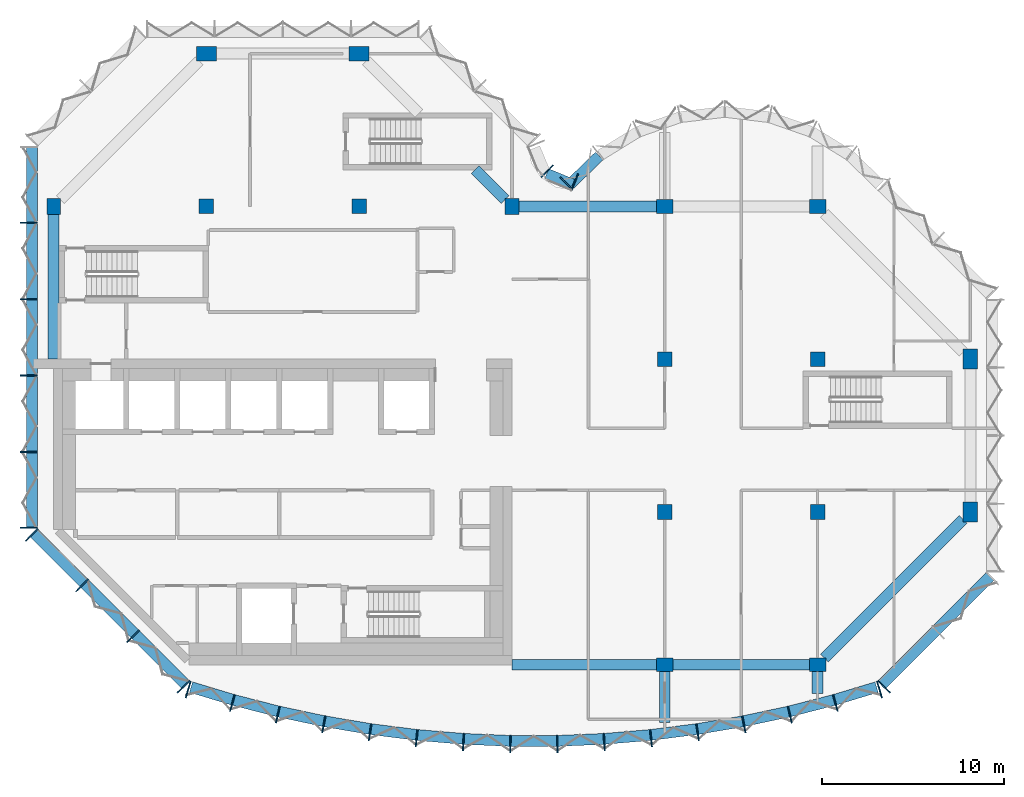
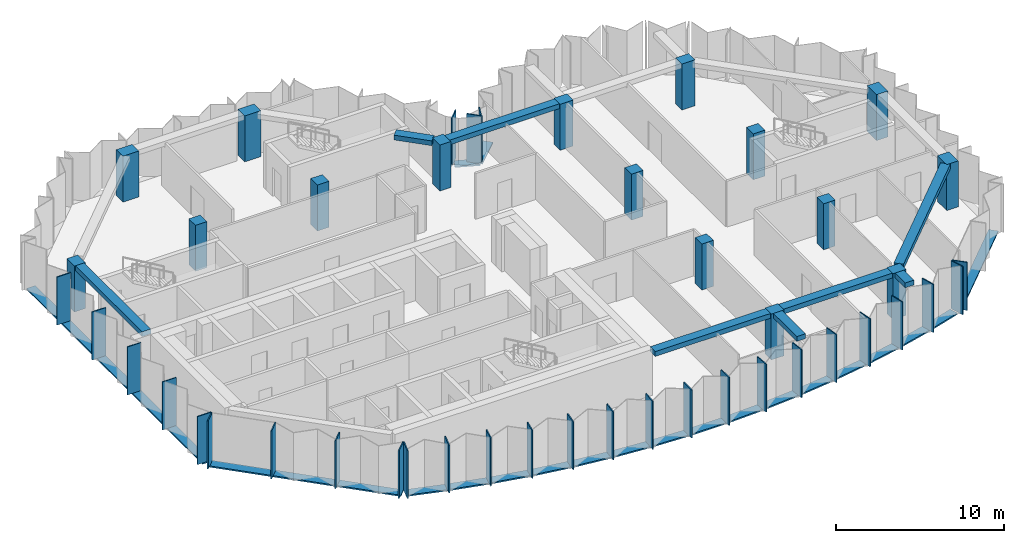
# One storey, part 1 of 9: 49 members, 16 columns, 8 beams, 6 elements without a shape of their own.
"""IFC4 building model written with IfcOpenShell, lengths in metres."""

from ifc_helpers import new_model, si_unit, direction, frame, origin, origin_2d, place, context, subcontext, project, spatial, rectangle, extrude, material, material_profile, profile_set, type_object, element, aggregate, save


model = new_model("IFC4")

# Units and contexts
model_context = context("Model", 3, precision=1e-05, world=origin(), true_north=direction((0.0, 1.0)))
body_context = subcontext(model_context, "Body", "Model", "MODEL_VIEW")
ifc_project = project(units=[si_unit("LENGTHUNIT", "METRE"), si_unit("AREAUNIT", "SQUARE_METRE"), si_unit("VOLUMEUNIT", "CUBIC_METRE"), si_unit("PLANEANGLEUNIT", "RADIAN"), si_unit("MASSUNIT", "GRAM", prefix="KILO")], contexts=[model_context])

# Site, building, storey
site_placement = place(None, origin())
site = spatial("IfcSite", under=ifc_project, at=site_placement, CompositionType="ELEMENT")
building_placement = place(site_placement, origin())
building = spatial("IfcBuilding", under=site, at=building_placement, Name="Brevane Broadcast Tower", CompositionType="ELEMENT")
storey_placement = place(building_placement, frame((0.0, 0.0, 215.699951171875)))
storey = spatial("IfcBuildingStorey", under=building, at=storey_placement, Name="L54", CompositionType="ELEMENT", Elevation=215.699951171875)

# Columns
ifc_material_1 = material(Name="Concrete C50/60", Category="concrete")
ifc_material_profile_1 = material_profile(ifc_material_1, rectangle(XDim=0.75, YDim=0.89990234375, at=origin_2d()), Name="RC 750x900")
ifc_profile_set_1 = profile_set([ifc_material_profile_1], Name="Concrete C50/60")
column_type_1 = type_object("IfcColumnType", Name="RC COLUMN EDGE 750x900 C50/60", PredefinedType="COLUMN", material=ifc_profile_set_1)
for number, where, z_axis, x_axis, name in (
    (1, (0.0, 25.199951171875, 0.0), (0.0, 0.0, 1.0), (1.0, 0.0, 0.0), "CE14 1/D"),
    (2, (25.199951171875, 25.199951171875, 0.0), (0.0, 0.0, 1.0), (1.0, 0.0, 0.0), "CE14 4/D"),
    (3, (33.60009765625, 0.0, 0.0), (0.0, 0.0, 1.0), (0.0, 1.0, 0.0), "CE14 5/A"),
    (4, (33.60009765625, 25.199951171875, 0.0), (0.0, 0.0, 1.0), (0.0, 1.0, 0.0), "CE14 5/D"),
    (5, (42.0, 0.0, 0.0), (0.0, 0.0, 1.0), (0.0, 1.0, 0.0), "CE14 6/A"),
    (6, (42.0, 25.199951171875, 0.0), (0.0, 0.0, 1.0), (0.0, 1.0, 0.0), "CE14 6/D"),
):
    element("IfcColumn", number, at=place(storey_placement, frame(where, z_axis=z_axis, x_axis=x_axis)), inside=storey, type_object=column_type_1, Name=name, PredefinedType="COLUMN", context=body_context, shape_type="SweptSolid", body=[
        extrude(rectangle(XDim=0.75, YDim=0.89990234375, at=origin_2d()), origin(), (0.0, 0.0, 1.0), 3.35009765625),
    ])
ifc_material_profile_2 = material_profile(ifc_material_1, rectangle(XDim=0.800048828125, YDim=0.800048828125, at=origin_2d()), Name="RC 800x800")
ifc_profile_set_2 = profile_set([ifc_material_profile_2], Name="Concrete C50/60")
column_type_2 = type_object("IfcColumnType", Name="RC COLUMN INTERIOR 800x800 C50/60", PredefinedType="COLUMN", material=ifc_profile_set_2)
for number, where, z_axis, x_axis, name in (
    (7, (8.39990234375, 25.199951171875, 0.0), (0.0, 0.0, 1.0), (1.0, 0.0, 0.0), "CI15 2/D"),
    (8, (16.800048828125, 25.199951171875, 0.0), (0.0, 0.0, 1.0), (1.0, 0.0, 0.0), "CI15 3/D"),
    (9, (33.60009765625, 8.39990234375, 0.0), (0.0, 0.0, 1.0), (1.0, 0.0, 0.0), "CI15 5/B"),
    (10, (33.60009765625, 16.800048828125, 0.0), (0.0, 0.0, 1.0), (1.0, 0.0, 0.0), "CI15 5/C"),
    (11, (42.0, 8.39990234375, 0.0), (0.0, 0.0, 1.0), (1.0, 0.0, 0.0), "CI15 6/B"),
    (12, (42.0, 16.800048828125, 0.0), (0.0, 0.0, 1.0), (1.0, 0.0, 0.0), "CI15 6/C"),
):
    element("IfcColumn", number, at=place(storey_placement, frame(where, z_axis=z_axis, x_axis=x_axis)), inside=storey, type_object=column_type_2, Name=name, PredefinedType="COLUMN", context=body_context, shape_type="SweptSolid", body=[
        extrude(rectangle(XDim=0.800048828125, YDim=0.800048828125, at=origin_2d()), origin(), (0.0, 0.0, 1.0), 3.35009765625),
    ])
ifc_material_profile_3 = material_profile(ifc_material_1, rectangle(XDim=0.800048828125, YDim=1.10009765625, at=origin_2d()), Name="RC 800x1100")
ifc_profile_set_3 = profile_set([ifc_material_profile_3], Name="Concrete C50/60")
column_type_3 = type_object("IfcColumnType", Name="RC COLUMN WING-END 800x1100 C50/60", PredefinedType="COLUMN", material=ifc_profile_set_3)
for number, where, z_axis, x_axis, name in (
    (13, (8.39990234375, 33.60009765625, 0.0), (0.0, 0.0, 1.0), (0.0, 1.0, 0.0), "CW16 2/E"),
    (14, (16.800048828125, 33.60009765625, 0.0), (0.0, 0.0, 1.0), (0.0, 1.0, 0.0), "CW16 3/E"),
    (15, (50.39990234375, 8.39990234375, 0.0), (0.0, 0.0, 1.0), (1.0, 0.0, 0.0), "CW16 7/B"),
    (16, (50.39990234375, 16.800048828125, 0.0), (0.0, 0.0, 1.0), (1.0, 0.0, 0.0), "CW16 7/C"),
):
    element("IfcColumn", number, at=place(storey_placement, frame(where, z_axis=z_axis, x_axis=x_axis)), inside=storey, type_object=column_type_3, Name=name, PredefinedType="COLUMN", context=body_context, shape_type="SweptSolid", body=[
        extrude(rectangle(XDim=0.800048828125, YDim=1.10009765625, at=origin_2d()), origin(), (0.0, 0.0, 1.0), 3.35009765625),
    ])

# Curtain wall, members
ifc_material_2 = material(Name="Aluminium 6063-T6 bronze anodised", Category="aluminium")
curtain_wall_type = type_object("IfcCurtainWallType", Name="CW-1 curtain wall", PredefinedType="NOTDEFINED", material=ifc_material_2)
curtain_wall_1_placement = place(storey_placement, origin())
curtain_wall_1 = element("IfcCurtainWall", 17, at=curtain_wall_1_placement, inside=storey, type_object=curtain_wall_type, Name="CW-1 typical tilted unit L54 south bow", PredefinedType="NOTDEFINED")
ifc_material_profile_4 = material_profile(ifc_material_2, rectangle(XDim=0.949951171875, YDim=0.070068359375, at=origin_2d()), Name="RECT 70x950")
ifc_profile_set_4 = profile_set([ifc_material_profile_4], Name="Aluminium 6063-T6 bronze anodised")
member_type_1 = type_object("IfcMemberType", Name="CW-1 mullion 70x950", PredefinedType="MULLION", material=ifc_profile_set_4)
member_1_placement = place(storey_placement, frame((7.396240234375, -1.36474609375, -0.14990234375), z_axis=(0.0, 0.0, 1.0), x_axis=(0.288968122518, 0.957338719664, 0.0)))
member_1 = element("IfcMember", 18, at=member_1_placement, type_object=member_type_1, Name="CW-1 mullion", PredefinedType="MULLION", context=body_context, shape_type="SweptSolid", body=[
    extrude(rectangle(XDim=0.949951171875, YDim=0.070068359375, at=origin_2d()), origin(), (0.0, 0.0, 1.0), 3.5),
])
member_2_placement = place(storey_placement, frame((9.824951171875, -2.097900390625, -0.14990234375), z_axis=(0.0, 0.0, 1.0), x_axis=(0.268915519935, 0.963163767559, 0.0)))
member_2 = element("IfcMember", 19, at=member_2_placement, type_object=member_type_1, Name="CW-1 mullion", PredefinedType="MULLION", context=body_context, shape_type="SweptSolid", body=[
    extrude(rectangle(XDim=0.949951171875, YDim=0.070068359375, at=origin_2d()), origin(), (0.0, 0.0, 1.0), 3.5),
])
member_3_placement = place(storey_placement, frame((12.325439453125, -2.739990234375, -0.14990234375), z_axis=(0.0, 0.0, 1.0), x_axis=(0.228467410001, 0.97355156133, 0.0)))
member_3 = element("IfcMember", 20, at=member_3_placement, type_object=member_type_1, Name="CW-1 mullion", PredefinedType="MULLION", context=body_context, shape_type="SweptSolid", body=[
    extrude(rectangle(XDim=0.949951171875, YDim=0.070068359375, at=origin_2d()), origin(), (0.0, 0.0, 1.0), 3.5),
])
member_4_placement = place(storey_placement, frame((14.8505859375, -3.277099609375, -0.14990234375), z_axis=(0.0, 0.0, 1.0), x_axis=(0.187620976959, 0.982241502384, 0.0)))
member_4 = element("IfcMember", 21, at=member_4_placement, type_object=member_type_1, Name="CW-1 mullion", PredefinedType="MULLION", context=body_context, shape_type="SweptSolid", body=[
    extrude(rectangle(XDim=0.949951171875, YDim=0.070068359375, at=origin_2d()), origin(), (0.0, 0.0, 1.0), 3.5),
])
member_5_placement = place(storey_placement, frame((17.395751953125, -3.70849609375, -0.14990234375), z_axis=(0.0, 0.0, 1.0), x_axis=(0.146447392256, 0.989218459847, 0.0)))
member_5 = element("IfcMember", 22, at=member_5_placement, type_object=member_type_1, Name="CW-1 mullion", PredefinedType="MULLION", context=body_context, shape_type="SweptSolid", body=[
    extrude(rectangle(XDim=0.949951171875, YDim=0.070068359375, at=origin_2d()), origin(), (0.0, 0.0, 1.0), 3.5),
])
member_6_placement = place(storey_placement, frame((19.95703125, -4.033203125, -0.14990234375), z_axis=(0.0, 0.0, 1.0), x_axis=(0.105018395305, 0.994470279419, 0.0)))
member_6 = element("IfcMember", 23, at=member_6_placement, type_object=member_type_1, Name="CW-1 mullion", PredefinedType="MULLION", context=body_context, shape_type="SweptSolid", body=[
    extrude(rectangle(XDim=0.949951171875, YDim=0.070068359375, at=origin_2d()), origin(), (0.0, 0.0, 1.0), 3.5),
])
member_7_placement = place(storey_placement, frame((22.529296875, -4.250732421875, -0.14990234375), z_axis=(0.0, 0.0, 1.0), x_axis=(0.063406169479, 0.99798780437, 0.0)))
member_7 = element("IfcMember", 24, at=member_7_placement, type_object=member_type_1, Name="CW-1 mullion", PredefinedType="MULLION", context=body_context, shape_type="SweptSolid", body=[
    extrude(rectangle(XDim=0.949951171875, YDim=0.070068359375, at=origin_2d()), origin(), (0.0, 0.0, 1.0), 3.5),
])
member_8_placement = place(storey_placement, frame((25.10888671875, -4.360595703125, -0.14990234375), z_axis=(0.0, 0.0, 1.0), x_axis=(0.021281828243, 0.999773516246, 0.0)))
member_8 = element("IfcMember", 25, at=member_8_placement, type_object=member_type_1, Name="CW-1 mullion", PredefinedType="MULLION", context=body_context, shape_type="SweptSolid", body=[
    extrude(rectangle(XDim=0.949951171875, YDim=0.070068359375, at=origin_2d()), origin(), (0.0, 0.0, 1.0), 3.5),
])
member_9_placement = place(storey_placement, frame((27.691162109375, -4.360595703125, -0.14990234375), z_axis=(0.0, 0.0, 1.0), x_axis=(-0.021281828243, 0.999773516246, 0.0)))
member_9 = element("IfcMember", 26, at=member_9_placement, type_object=member_type_1, Name="CW-1 mullion", PredefinedType="MULLION", context=body_context, shape_type="SweptSolid", body=[
    extrude(rectangle(XDim=0.949951171875, YDim=0.070068359375, at=origin_2d()), origin(), (0.0, 0.0, 1.0), 3.5),
])
member_10_placement = place(storey_placement, frame((30.2705078125, -4.250732421875, -0.14990234375), z_axis=(0.0, 0.0, 1.0), x_axis=(-0.063406169479, 0.99798780437, 0.0)))
member_10 = element("IfcMember", 27, at=member_10_placement, type_object=member_type_1, Name="CW-1 mullion", PredefinedType="MULLION", context=body_context, shape_type="SweptSolid", body=[
    extrude(rectangle(XDim=0.949951171875, YDim=0.070068359375, at=origin_2d()), origin(), (0.0, 0.0, 1.0), 3.5),
])
member_11_placement = place(storey_placement, frame((32.843017578125, -4.033203125, -0.14990234375), z_axis=(0.0, 0.0, 1.0), x_axis=(-0.105018395305, 0.994470279419, 0.0)))
member_11 = element("IfcMember", 28, at=member_11_placement, type_object=member_type_1, Name="CW-1 mullion", PredefinedType="MULLION", context=body_context, shape_type="SweptSolid", body=[
    extrude(rectangle(XDim=0.949951171875, YDim=0.070068359375, at=origin_2d()), origin(), (0.0, 0.0, 1.0), 3.5),
])
member_12_placement = place(storey_placement, frame((35.404296875, -3.70849609375, -0.14990234375), z_axis=(0.0, 0.0, 1.0), x_axis=(-0.146447392256, 0.989218459847, 0.0)))
member_12 = element("IfcMember", 29, at=member_12_placement, type_object=member_type_1, Name="CW-1 mullion", PredefinedType="MULLION", context=body_context, shape_type="SweptSolid", body=[
    extrude(rectangle(XDim=0.949951171875, YDim=0.070068359375, at=origin_2d()), origin(), (0.0, 0.0, 1.0), 3.5),
])
member_13_placement = place(storey_placement, frame((37.949462890625, -3.277099609375, -0.14990234375), z_axis=(0.0, 0.0, 1.0), x_axis=(-0.187620976959, 0.982241502384, 0.0)))
member_13 = element("IfcMember", 30, at=member_13_placement, type_object=member_type_1, Name="CW-1 mullion", PredefinedType="MULLION", context=body_context, shape_type="SweptSolid", body=[
    extrude(rectangle(XDim=0.949951171875, YDim=0.070068359375, at=origin_2d()), origin(), (0.0, 0.0, 1.0), 3.5),
])
member_14_placement = place(storey_placement, frame((40.474609375, -2.739990234375, -0.14990234375), z_axis=(0.0, 0.0, 1.0), x_axis=(-0.228467410001, 0.97355156133, 0.0)))
member_14 = element("IfcMember", 31, at=member_14_placement, type_object=member_type_1, Name="CW-1 mullion", PredefinedType="MULLION", context=body_context, shape_type="SweptSolid", body=[
    extrude(rectangle(XDim=0.949951171875, YDim=0.070068359375, at=origin_2d()), origin(), (0.0, 0.0, 1.0), 3.5),
])
member_15_placement = place(storey_placement, frame((42.97509765625, -2.097900390625, -0.14990234375), z_axis=(0.0, 0.0, 1.0), x_axis=(-0.268915519935, 0.963163767559, 0.0)))
member_15 = element("IfcMember", 32, at=member_15_placement, type_object=member_type_1, Name="CW-1 mullion", PredefinedType="MULLION", context=body_context, shape_type="SweptSolid", body=[
    extrude(rectangle(XDim=0.949951171875, YDim=0.070068359375, at=origin_2d()), origin(), (0.0, 0.0, 1.0), 3.5),
])
member_16_placement = place(storey_placement, frame((45.40380859375, -1.36474609375, -0.14990234375), z_axis=(0.0, 0.0, 1.0), x_axis=(-0.288968122518, 0.957338719664, 0.0)))
member_16 = element("IfcMember", 33, at=member_16_placement, type_object=member_type_1, Name="CW-1 mullion", PredefinedType="MULLION", context=body_context, shape_type="SweptSolid", body=[
    extrude(rectangle(XDim=0.949951171875, YDim=0.070068359375, at=origin_2d()), origin(), (0.0, 0.0, 1.0), 3.5),
])

# Curtain wall, member
curtain_wall_2_placement = place(storey_placement, origin())
curtain_wall_2 = element("IfcCurtainWall", 34, at=curtain_wall_2_placement, inside=storey, type_object=curtain_wall_type, Name="CW-1 typical tilted unit L54 south-east chamfer", PredefinedType="NOTDEFINED")
member_17_placement = place(storey_placement, frame((45.66064453125, -1.211181640625, -0.14990234375), z_axis=(0.0, 0.0, 1.0), x_axis=(-0.707106781187, 0.707106781187, 0.0)))
member_17 = element("IfcMember", 35, at=member_17_placement, type_object=member_type_1, Name="CW-1 mullion", PredefinedType="MULLION", context=body_context, shape_type="SweptSolid", body=[
    extrude(rectangle(XDim=0.949951171875, YDim=0.070068359375, at=origin_2d()), origin(), (0.0, 0.0, 1.0), 3.5),
])

curtain_wall_3_placement = place(storey_placement, origin())
curtain_wall_3 = element("IfcCurtainWall", 36, at=curtain_wall_3_placement, inside=storey, type_object=curtain_wall_type, Name="CW-1 typical tilted unit L54 east bow", PredefinedType="NOTDEFINED")
member_18_placement = place(storey_placement, frame((28.194091796875, 26.465087890625, -0.14990234375), z_axis=(0.0, 0.0, 1.0), x_axis=(0.696812089895, -0.717253728729, 0.0)))
member_18 = element("IfcMember", 37, at=member_18_placement, type_object=member_type_1, Name="CW-1 mullion", PredefinedType="MULLION", context=body_context, shape_type="SweptSolid", body=[
    extrude(rectangle(XDim=0.949951171875, YDim=0.070068359375, at=origin_2d()), origin(), (0.0, 0.0, 1.0), 3.5),
])

# Curtain wall, members
curtain_wall_4_placement = place(storey_placement, origin())
curtain_wall_4 = element("IfcCurtainWall", 38, at=curtain_wall_4_placement, inside=storey, type_object=curtain_wall_type, Name="CW-1 typical tilted unit L54 inner corner", PredefinedType="NOTDEFINED")
member_19_placement = place(storey_placement, frame((28.6494140625, 26.55224609375, -0.14990234375), z_axis=(0.0, 0.0, 1.0), x_axis=(-0.382683432365, -0.923879532511, 0.0)))
member_19 = element("IfcMember", 39, at=member_19_placement, type_object=member_type_1, Name="CW-1 mullion", PredefinedType="MULLION", context=body_context, shape_type="SweptSolid", body=[
    extrude(rectangle(XDim=0.949951171875, YDim=0.070068359375, at=origin_2d()), origin(), (0.0, 0.0, 1.0), 3.5),
])
member_20_placement = place(storey_placement, frame((27.138916015625, 27.138916015625, -0.14990234375), z_axis=(0.0, 0.0, 1.0), x_axis=(-0.707106781187, -0.707106781187, 0.0)))
member_20 = element("IfcMember", 40, at=member_20_placement, type_object=member_type_1, Name="CW-1 mullion", PredefinedType="MULLION", context=body_context, shape_type="SweptSolid", body=[
    extrude(rectangle(XDim=0.949951171875, YDim=0.070068359375, at=origin_2d()), origin(), (0.0, 0.0, 1.0), 3.5),
])

curtain_wall_5_placement = place(storey_placement, origin())
curtain_wall_5 = element("IfcCurtainWall", 41, at=curtain_wall_5_placement, inside=storey, type_object=curtain_wall_type, Name="CW-1 typical tilted unit L54 west face", PredefinedType="NOTDEFINED")
member_21_placement = place(storey_placement, frame((-1.375, 24.300048828125, -0.14990234375), z_axis=(0.0, 0.0, 1.0), x_axis=(1.0, 0.0, 0.0)))
member_21 = element("IfcMember", 42, at=member_21_placement, type_object=member_type_1, Name="CW-1 mullion", PredefinedType="MULLION", context=body_context, shape_type="SweptSolid", body=[
    extrude(rectangle(XDim=0.949951171875, YDim=0.070068359375, at=origin_2d()), origin(), (0.0, 0.0, 1.0), 3.5),
])
member_22_placement = place(storey_placement, frame((-1.375, 20.10009765625, -0.14990234375), z_axis=(0.0, 0.0, 1.0), x_axis=(1.0, 0.0, 0.0)))
member_22 = element("IfcMember", 43, at=member_22_placement, type_object=member_type_1, Name="CW-1 mullion", PredefinedType="MULLION", context=body_context, shape_type="SweptSolid", body=[
    extrude(rectangle(XDim=0.949951171875, YDim=0.070068359375, at=origin_2d()), origin(), (0.0, 0.0, 1.0), 3.5),
])
member_23_placement = place(storey_placement, frame((-1.375, 15.89990234375, -0.14990234375), z_axis=(0.0, 0.0, 1.0), x_axis=(1.0, 0.0, 0.0)))
member_23 = element("IfcMember", 44, at=member_23_placement, type_object=member_type_1, Name="CW-1 mullion", PredefinedType="MULLION", context=body_context, shape_type="SweptSolid", body=[
    extrude(rectangle(XDim=0.949951171875, YDim=0.070068359375, at=origin_2d()), origin(), (0.0, 0.0, 1.0), 3.5),
])
member_24_placement = place(storey_placement, frame((-1.375, 11.699951171875, -0.14990234375), z_axis=(0.0, 0.0, 1.0), x_axis=(1.0, 0.0, 0.0)))
member_24 = element("IfcMember", 45, at=member_24_placement, type_object=member_type_1, Name="CW-1 mullion", PredefinedType="MULLION", context=body_context, shape_type="SweptSolid", body=[
    extrude(rectangle(XDim=0.949951171875, YDim=0.070068359375, at=origin_2d()), origin(), (0.0, 0.0, 1.0), 3.5),
])
member_25_placement = place(storey_placement, frame((-1.375, 7.534912109375, -0.14990234375), z_axis=(0.0, 0.0, 1.0), x_axis=(1.0, 0.0, 0.0)))
member_25 = element("IfcMember", 46, at=member_25_placement, type_object=member_type_1, Name="CW-1 mullion", PredefinedType="MULLION", context=body_context, shape_type="SweptSolid", body=[
    extrude(rectangle(XDim=0.949951171875, YDim=0.070068359375, at=origin_2d()), origin(), (0.0, 0.0, 1.0), 3.5),
])

curtain_wall_6_placement = place(storey_placement, origin())
curtain_wall_6 = element("IfcCurtainWall", 47, at=curtain_wall_6_placement, inside=storey, type_object=curtain_wall_type, Name="CW-1 typical tilted unit L54 south-west chamfer", PredefinedType="NOTDEFINED")
member_26_placement = place(storey_placement, frame((-1.211181640625, 7.139404296875, -0.14990234375), z_axis=(0.0, 0.0, 1.0), x_axis=(0.707106781187, 0.707106781187, 0.0)))
member_26 = element("IfcMember", 48, at=member_26_placement, type_object=member_type_1, Name="CW-1 mullion", PredefinedType="MULLION", context=body_context, shape_type="SweptSolid", body=[
    extrude(rectangle(XDim=0.949951171875, YDim=0.070068359375, at=origin_2d()), origin(), (0.0, 0.0, 1.0), 3.5),
])
member_27_placement = place(storey_placement, frame((1.564208984375, 4.364013671875, -0.14990234375), z_axis=(0.0, 0.0, 1.0), x_axis=(0.707106781187, 0.707106781187, 0.0)))
member_27 = element("IfcMember", 49, at=member_27_placement, type_object=member_type_1, Name="CW-1 mullion", PredefinedType="MULLION", context=body_context, shape_type="SweptSolid", body=[
    extrude(rectangle(XDim=0.949951171875, YDim=0.070068359375, at=origin_2d()), origin(), (0.0, 0.0, 1.0), 3.5),
])
member_28_placement = place(storey_placement, frame((4.364013671875, 1.564208984375, -0.14990234375), z_axis=(0.0, 0.0, 1.0), x_axis=(0.707106781187, 0.707106781187, 0.0)))
member_28 = element("IfcMember", 50, at=member_28_placement, type_object=member_type_1, Name="CW-1 mullion", PredefinedType="MULLION", context=body_context, shape_type="SweptSolid", body=[
    extrude(rectangle(XDim=0.949951171875, YDim=0.070068359375, at=origin_2d()), origin(), (0.0, 0.0, 1.0), 3.5),
])
member_29_placement = place(storey_placement, frame((7.139404296875, -1.211181640625, -0.14990234375), z_axis=(0.0, 0.0, 1.0), x_axis=(0.707106781187, 0.707106781187, 0.0)))
member_29 = element("IfcMember", 51, at=member_29_placement, type_object=member_type_1, Name="CW-1 mullion", PredefinedType="MULLION", context=body_context, shape_type="SweptSolid", body=[
    extrude(rectangle(XDim=0.949951171875, YDim=0.070068359375, at=origin_2d()), origin(), (0.0, 0.0, 1.0), 3.5),
])

# Member
ifc_material_profile_5 = material_profile(ifc_material_2, rectangle(XDim=0.60009765625, YDim=0.10009765625, at=origin_2d()), Name="RECT 100x600")
ifc_profile_set_5 = profile_set([ifc_material_profile_5], Name="Aluminium 6063-T6 bronze anodised")
member_type_2 = type_object("IfcMemberType", Name="CW-1 transom 100x600", PredefinedType="USERDEFINED", material=ifc_profile_set_5)
member_30_placement = place(storey_placement, frame((7.553955078125, -1.229736328125, -0.199951171875), z_axis=(0.957362578524, -0.288889067362, 0.0), x_axis=(0.288889067362, 0.957362578524, 0.0)))
member_30 = element("IfcMember", 52, at=member_30_placement, type_object=member_type_2, Name="CW-1 transom", ObjectType="TRANSOM", PredefinedType="USERDEFINED", context=body_context, shape_type="SweptSolid", body=[
    extrude(rectangle(XDim=0.60009765625, YDim=0.10009765625, at=origin_2d()), origin(), (0.0, 0.0, 1.0), 2.411865234375),
])

member_31_placement = place(storey_placement, frame((9.8759765625, -1.930419921875, -0.199951171875), z_axis=(0.968569727699, -0.248742201052, 0.0), x_axis=(0.248742201052, 0.968569727699, 0.0)))
member_31 = element("IfcMember", 53, at=member_31_placement, type_object=member_type_2, Name="CW-1 transom", ObjectType="TRANSOM", PredefinedType="USERDEFINED", context=body_context, shape_type="SweptSolid", body=[
    extrude(rectangle(XDim=0.60009765625, YDim=0.10009765625, at=origin_2d()), origin(), (0.0, 0.0, 1.0), 2.561767578125),
])

member_32_placement = place(storey_placement, frame((12.370361328125, -2.57080078125, -0.199951171875), z_axis=(0.978117897278, -0.208051385536, 0.0), x_axis=(0.208051385536, 0.978117897278, 0.0)))
member_32 = element("IfcMember", 54, at=member_32_placement, type_object=member_type_2, Name="CW-1 transom", ObjectType="TRANSOM", PredefinedType="USERDEFINED", context=body_context, shape_type="SweptSolid", body=[
    extrude(rectangle(XDim=0.60009765625, YDim=0.10009765625, at=origin_2d()), origin(), (0.0, 0.0, 1.0), 2.561767578125),
])

member_33_placement = place(storey_placement, frame((14.88916015625, -3.1064453125, -0.199951171875), z_axis=(0.985947338221, -0.167056416383, 0.0), x_axis=(0.167056416383, 0.985947338221, 0.0)))
member_33 = element("IfcMember", 55, at=member_33_placement, type_object=member_type_2, Name="CW-1 transom", ObjectType="TRANSOM", PredefinedType="USERDEFINED", context=body_context, shape_type="SweptSolid", body=[
    extrude(rectangle(XDim=0.60009765625, YDim=0.10009765625, at=origin_2d()), origin(), (0.0, 0.0, 1.0), 2.561767578125),
])

member_34_placement = place(storey_placement, frame((17.428466796875, -3.536376953125, -0.199951171875), z_axis=(0.99206678005, -0.12571198798, 0.0), x_axis=(0.12571198798, 0.99206678005, 0.0)))
member_34 = element("IfcMember", 56, at=member_34_placement, type_object=member_type_2, Name="CW-1 transom", ObjectType="TRANSOM", PredefinedType="USERDEFINED", context=body_context, shape_type="SweptSolid", body=[
    extrude(rectangle(XDim=0.60009765625, YDim=0.10009765625, at=origin_2d()), origin(), (0.0, 0.0, 1.0), 2.5615234375),
])

member_35_placement = place(storey_placement, frame((19.983154296875, -3.85986328125, -0.199951171875), z_axis=(0.99644513768, -0.084244214012, 0.0), x_axis=(0.084244214012, 0.99644513768, 0.0)))
member_35 = element("IfcMember", 57, at=member_35_placement, type_object=member_type_2, Name="CW-1 transom", ObjectType="TRANSOM", PredefinedType="USERDEFINED", context=body_context, shape_type="SweptSolid", body=[
    extrude(rectangle(XDim=0.60009765625, YDim=0.10009765625, at=origin_2d()), origin(), (0.0, 0.0, 1.0), 2.561767578125),
])

member_36_placement = place(storey_placement, frame((22.54931640625, -4.076416015625, -0.199951171875), z_axis=(0.999092306129, -0.042597697524, 0.0), x_axis=(0.042597697524, 0.999092306129, 0.0)))
member_36 = element("IfcMember", 58, at=member_36_placement, type_object=member_type_2, Name="CW-1 transom", ObjectType="TRANSOM", PredefinedType="USERDEFINED", context=body_context, shape_type="SweptSolid", body=[
    extrude(rectangle(XDim=0.60009765625, YDim=0.10009765625, at=origin_2d()), origin(), (0.0, 0.0, 1.0), 2.56201171875),
])

member_37_placement = place(storey_placement, frame((25.122314453125, -4.185546875, -0.199951171875), z_axis=(1.0, 0.0, 0.0), x_axis=(0.0, 1.0, 0.0)))
member_37 = element("IfcMember", 59, at=member_37_placement, type_object=member_type_2, Name="CW-1 transom", ObjectType="TRANSOM", PredefinedType="USERDEFINED", context=body_context, shape_type="SweptSolid", body=[
    extrude(rectangle(XDim=0.60009765625, YDim=0.10009765625, at=origin_2d()), origin(), (0.0, 0.0, 1.0), 2.56201171875),
])

member_38_placement = place(storey_placement, frame((27.691162109375, -4.185546875, -0.199951171875), z_axis=(0.999092133182, 0.042601753652, 0.0), x_axis=(-0.042601753652, 0.999092133182, 0.0)))
member_38 = element("IfcMember", 60, at=member_38_placement, type_object=member_type_2, Name="CW-1 transom", ObjectType="TRANSOM", PredefinedType="USERDEFINED", context=body_context, shape_type="SweptSolid", body=[
    extrude(rectangle(XDim=0.60009765625, YDim=0.10009765625, at=origin_2d()), origin(), (0.0, 0.0, 1.0), 2.561767578125),
])

member_39_placement = place(storey_placement, frame((30.26416015625, -4.07568359375, -0.199951171875), z_axis=(0.99644513768, 0.084244214012, 0.0), x_axis=(-0.084244214012, 0.99644513768, 0.0)))
member_39 = element("IfcMember", 61, at=member_39_placement, type_object=member_type_2, Name="CW-1 transom", ObjectType="TRANSOM", PredefinedType="USERDEFINED", context=body_context, shape_type="SweptSolid", body=[
    extrude(rectangle(XDim=0.60009765625, YDim=0.10009765625, at=origin_2d()), origin(), (0.0, 0.0, 1.0), 2.561767578125),
])

member_40_placement = place(storey_placement, frame((32.830322265625, -3.8583984375, -0.199951171875), z_axis=(0.99206678005, 0.12571198798, 0.0), x_axis=(-0.12571198798, 0.99206678005, 0.0)))
member_40 = element("IfcMember", 62, at=member_40_placement, type_object=member_type_2, Name="CW-1 transom", ObjectType="TRANSOM", PredefinedType="USERDEFINED", context=body_context, shape_type="SweptSolid", body=[
    extrude(rectangle(XDim=0.60009765625, YDim=0.10009765625, at=origin_2d()), origin(), (0.0, 0.0, 1.0), 2.5615234375),
])

member_41_placement = place(storey_placement, frame((35.385009765625, -3.534423828125, -0.199951171875), z_axis=(0.9859446783, 0.167072114167, 0.0), x_axis=(-0.167072114167, 0.9859446783, 0.0)))
member_41 = element("IfcMember", 63, at=member_41_placement, type_object=member_type_2, Name="CW-1 transom", ObjectType="TRANSOM", PredefinedType="USERDEFINED", context=body_context, shape_type="SweptSolid", body=[
    extrude(rectangle(XDim=0.60009765625, YDim=0.10009765625, at=origin_2d()), origin(), (0.0, 0.0, 1.0), 2.5615234375),
])

member_42_placement = place(storey_placement, frame((37.924072265625, -3.103759765625, -0.199951171875), z_axis=(0.978117897278, 0.208051385536, 0.0), x_axis=(-0.208051385536, 0.978117897278, 0.0)))
member_42 = element("IfcMember", 64, at=member_42_placement, type_object=member_type_2, Name="CW-1 transom", ObjectType="TRANSOM", PredefinedType="USERDEFINED", context=body_context, shape_type="SweptSolid", body=[
    extrude(rectangle(XDim=0.60009765625, YDim=0.10009765625, at=origin_2d()), origin(), (0.0, 0.0, 1.0), 2.561767578125),
])

member_43_placement = place(storey_placement, frame((40.44287109375, -2.567626953125, -0.199951171875), z_axis=(0.968569727699, 0.248742201052, 0.0), x_axis=(-0.248742201052, 0.968569727699, 0.0)))
member_43 = element("IfcMember", 65, at=member_43_placement, type_object=member_type_2, Name="CW-1 transom", ObjectType="TRANSOM", PredefinedType="USERDEFINED", context=body_context, shape_type="SweptSolid", body=[
    extrude(rectangle(XDim=0.60009765625, YDim=0.10009765625, at=origin_2d()), origin(), (0.0, 0.0, 1.0), 2.561767578125),
])

member_44_placement = place(storey_placement, frame((42.93701171875, -1.926513671875, -0.199951171875), z_axis=(0.957362578524, 0.288889067362, 0.0), x_axis=(-0.288889067362, 0.957362578524, 0.0)))
member_44 = element("IfcMember", 66, at=member_44_placement, type_object=member_type_2, Name="CW-1 transom", ObjectType="TRANSOM", PredefinedType="USERDEFINED", context=body_context, shape_type="SweptSolid", body=[
    extrude(rectangle(XDim=0.60009765625, YDim=0.10009765625, at=origin_2d()), origin(), (0.0, 0.0, 1.0), 2.411865234375),
])

aggregate(curtain_wall_1, [member_1, member_2, member_3, member_4, member_5, member_6, member_7, member_8, member_9, member_10, member_11, member_12, member_13, member_14, member_15, member_16, member_30, member_31, member_32, member_33, member_34, member_35, member_36, member_37, member_38, member_39, member_40, member_41, member_42, member_43, member_44])

member_45_placement = place(storey_placement, frame((45.51220703125, -1.112060546875, -0.199951171875), z_axis=(0.707106781187, 0.707106781187, 0.0), x_axis=(-0.707106781187, 0.707106781187, 0.0)))
member_45 = element("IfcMember", 67, at=member_45_placement, type_object=member_type_2, Name="CW-1 transom", ObjectType="TRANSOM", PredefinedType="USERDEFINED", context=body_context, shape_type="SweptSolid", body=[
    extrude(rectangle(XDim=0.60009765625, YDim=0.10009765625, at=origin_2d()), origin(), (0.0, 0.0, 1.0), 8.4853515625),
])

aggregate(curtain_wall_2, [member_17, member_45])

member_46_placement = place(storey_placement, frame((29.99951171875, 27.974365234375, -0.199951171875), z_axis=(-0.71724215871, -0.696823999134, 0.0), x_axis=(0.696823999134, -0.71724215871, 0.0)))
member_46 = element("IfcMember", 68, at=member_46_placement, type_object=member_type_2, Name="CW-1 transom", ObjectType="TRANSOM", PredefinedType="USERDEFINED", context=body_context, shape_type="SweptSolid", body=[
    extrude(rectangle(XDim=0.60009765625, YDim=0.10009765625, at=origin_2d()), origin(), (0.0, 0.0, 1.0), 2.247802734375),
])

aggregate(curtain_wall_3, [member_18, member_46])

member_47_placement = place(storey_placement, frame((28.528076171875, 26.40673828125, -0.199951171875), z_axis=(-0.923883243627, 0.382674472816, 0.0), x_axis=(-0.382674472816, -0.923883243627, 0.0)))
member_47 = element("IfcMember", 69, at=member_47_placement, type_object=member_type_2, Name="CW-1 transom", ObjectType="TRANSOM", PredefinedType="USERDEFINED", context=body_context, shape_type="SweptSolid", body=[
    extrude(rectangle(XDim=0.60009765625, YDim=0.10009765625, at=origin_2d()), origin(), (0.0, 0.0, 1.0), 1.536865234375),
])

aggregate(curtain_wall_4, [member_19, member_20, member_47])

member_48_placement = place(storey_placement, frame((-1.199951171875, 28.5, -0.199951171875), z_axis=(0.0, -1.0, 0.0), x_axis=(1.0, 0.0, 0.0)))
member_48 = element("IfcMember", 70, at=member_48_placement, type_object=member_type_2, Name="CW-1 transom", ObjectType="TRANSOM", PredefinedType="USERDEFINED", context=body_context, shape_type="SweptSolid", body=[
    extrude(rectangle(XDim=0.60009765625, YDim=0.10009765625, at=origin_2d()), origin(), (0.0, 0.0, 1.0), 21.0),
])

aggregate(curtain_wall_5, [member_21, member_22, member_23, member_24, member_25, member_48])

member_49_placement = place(storey_placement, frame((-1.112060546875, 7.287841796875, -0.199951171875), z_axis=(0.707106781187, -0.707106781187, 0.0), x_axis=(0.707106781187, 0.707106781187, 0.0)))
member_49 = element("IfcMember", 71, at=member_49_placement, type_object=member_type_2, Name="CW-1 transom", ObjectType="TRANSOM", PredefinedType="USERDEFINED", context=body_context, shape_type="SweptSolid", body=[
    extrude(rectangle(XDim=0.60009765625, YDim=0.10009765625, at=origin_2d()), origin(), (0.0, 0.0, 1.0), 11.879150390625),
])

aggregate(curtain_wall_6, [member_26, member_27, member_28, member_29, member_49])

# Beams
ifc_material_3 = material(Name="Concrete C40/50", Category="concrete")
ifc_material_profile_6 = material_profile(ifc_material_3, rectangle(XDim=0.60009765625, YDim=0.35009765625, at=origin_2d()), Name="RC 600x350")
ifc_profile_set_6 = profile_set([ifc_material_profile_6], Name="Concrete C40/50")
beam_type_1 = type_object("IfcBeamType", Name="RC BRACKET BEAM 600x350 C40/50", PredefinedType="BEAM", material=ifc_profile_set_6)
beam_1_placement = place(storey_placement, frame((33.60009765625, -0.375, 3.175048828125), z_axis=(0.0, -1.0, 0.0), x_axis=(1.0, 0.0, 0.0)))
element("IfcBeam", 72, at=beam_1_placement, inside=storey, type_object=beam_type_1, Name="EB2 L54-1", PredefinedType="BEAM", context=body_context, shape_type="SweptSolid", body=[
    extrude(rectangle(XDim=0.60009765625, YDim=0.35009765625, at=origin_2d()), origin(), (0.0, 0.0, 1.0), 2.7958984375),
])
beam_2_placement = place(storey_placement, frame((42.0, -0.375, 3.175048828125), z_axis=(0.0, -1.0, 0.0), x_axis=(1.0, 0.0, 0.0)))
element("IfcBeam", 73, at=beam_2_placement, inside=storey, type_object=beam_type_1, Name="EB2 L54-3", PredefinedType="BEAM", context=body_context, shape_type="SweptSolid", body=[
    extrude(rectangle(XDim=0.60009765625, YDim=0.35009765625, at=origin_2d()), origin(), (0.0, 0.0, 1.0), 1.19384765625),
])
ifc_material_profile_7 = material_profile(ifc_material_3, rectangle(XDim=0.60009765625, YDim=0.35009765625, at=origin_2d()), Name="RC 600x350")
ifc_profile_set_7 = profile_set([ifc_material_profile_7], Name="Concrete C40/50")
beam_type_2 = type_object("IfcBeamType", Name="RC SPANDREL BEAM 600x350 C40/50", PredefinedType="SPANDREL", material=ifc_profile_set_7)
beam_3_placement = place(storey_placement, frame((25.199951171875, 0.0, 3.175048828125), z_axis=(1.0, 0.0, 0.0), x_axis=(0.0, 1.0, 0.0)))
element("IfcBeam", 74, at=beam_3_placement, inside=storey, type_object=beam_type_2, Name="EB1 L54-1", PredefinedType="SPANDREL", context=body_context, shape_type="SweptSolid", body=[
    extrude(rectangle(XDim=0.60009765625, YDim=0.35009765625, at=origin_2d()), origin(), (0.0, 0.0, 1.0), 7.949951171875),
])
beam_4_placement = place(storey_placement, frame((34.050048828125, 0.0, 3.175048828125), z_axis=(1.0, 0.0, 0.0), x_axis=(0.0, 1.0, 0.0)))
element("IfcBeam", 75, at=beam_4_placement, inside=storey, type_object=beam_type_2, Name="EB1 L54-2", PredefinedType="SPANDREL", context=body_context, shape_type="SweptSolid", body=[
    extrude(rectangle(XDim=0.60009765625, YDim=0.35009765625, at=origin_2d()), origin(), (0.0, 0.0, 1.0), 7.5),
])
beam_5_placement = place(storey_placement, frame((42.375, 0.375, 3.175048828125), z_axis=(0.707106781187, 0.707106781187, 0.0), x_axis=(-0.707106781187, 0.707106781187, 0.0)))
element("IfcBeam", 76, at=beam_5_placement, inside=storey, type_object=beam_type_2, Name="EB1 L54-3", PredefinedType="SPANDREL", context=body_context, shape_type="SweptSolid", body=[
    extrude(rectangle(XDim=0.60009765625, YDim=0.35009765625, at=origin_2d()), origin(), (0.0, 0.0, 1.0), 10.783447265625),
])
beam_6_placement = place(storey_placement, frame((33.14990234375, 25.199951171875, 3.175048828125), z_axis=(-1.0, 0.0, 0.0), x_axis=(0.0, -1.0, 0.0)))
element("IfcBeam", 77, at=beam_6_placement, inside=storey, type_object=beam_type_2, Name="EB1 L54-7", PredefinedType="SPANDREL", context=body_context, shape_type="SweptSolid", body=[
    extrude(rectangle(XDim=0.60009765625, YDim=0.35009765625, at=origin_2d()), origin(), (0.0, 0.0, 1.0), 7.574951171875),
])
beam_7_placement = place(storey_placement, frame((24.824951171875, 25.574951171875, 3.175048828125), z_axis=(-0.707106781187, 0.707106781187, 0.0), x_axis=(-0.707106781187, -0.707106781187, 0.0)))
element("IfcBeam", 78, at=beam_7_placement, inside=storey, type_object=beam_type_2, Name="EB1 L54-8", PredefinedType="SPANDREL", context=body_context, shape_type="SweptSolid", body=[
    extrude(rectangle(XDim=0.60009765625, YDim=0.35009765625, at=origin_2d()), origin(), (0.0, 0.0, 1.0), 2.340576171875),
])
beam_8_placement = place(storey_placement, frame((0.0, 24.75, 3.175048828125), z_axis=(0.0, -1.0, 0.0), x_axis=(1.0, 0.0, 0.0)))
element("IfcBeam", 79, at=beam_8_placement, inside=storey, type_object=beam_type_2, Name="EB1 L54-11", PredefinedType="SPANDREL", context=body_context, shape_type="SweptSolid", body=[
    extrude(rectangle(XDim=0.60009765625, YDim=0.35009765625, at=origin_2d()), origin(), (0.0, 0.0, 1.0), 7.949951171875),
])

save(model, "model.ifc")
